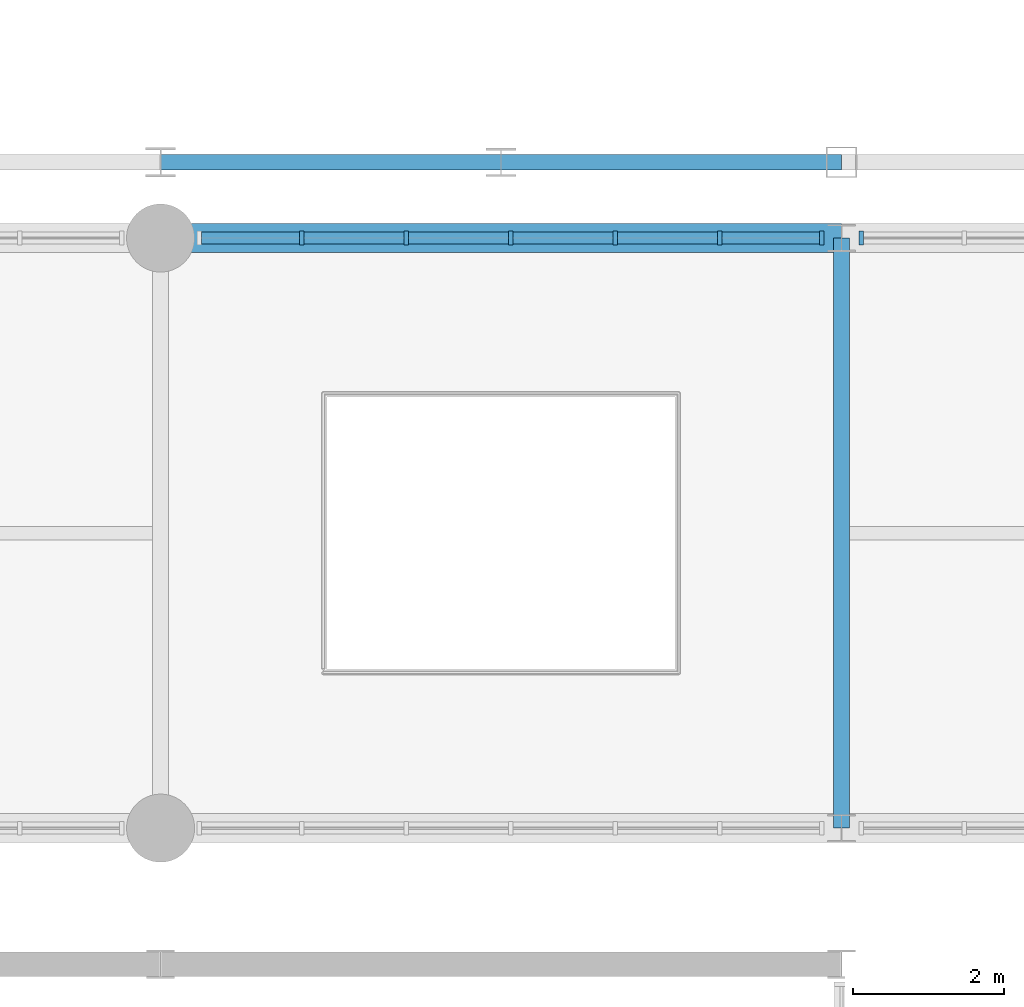
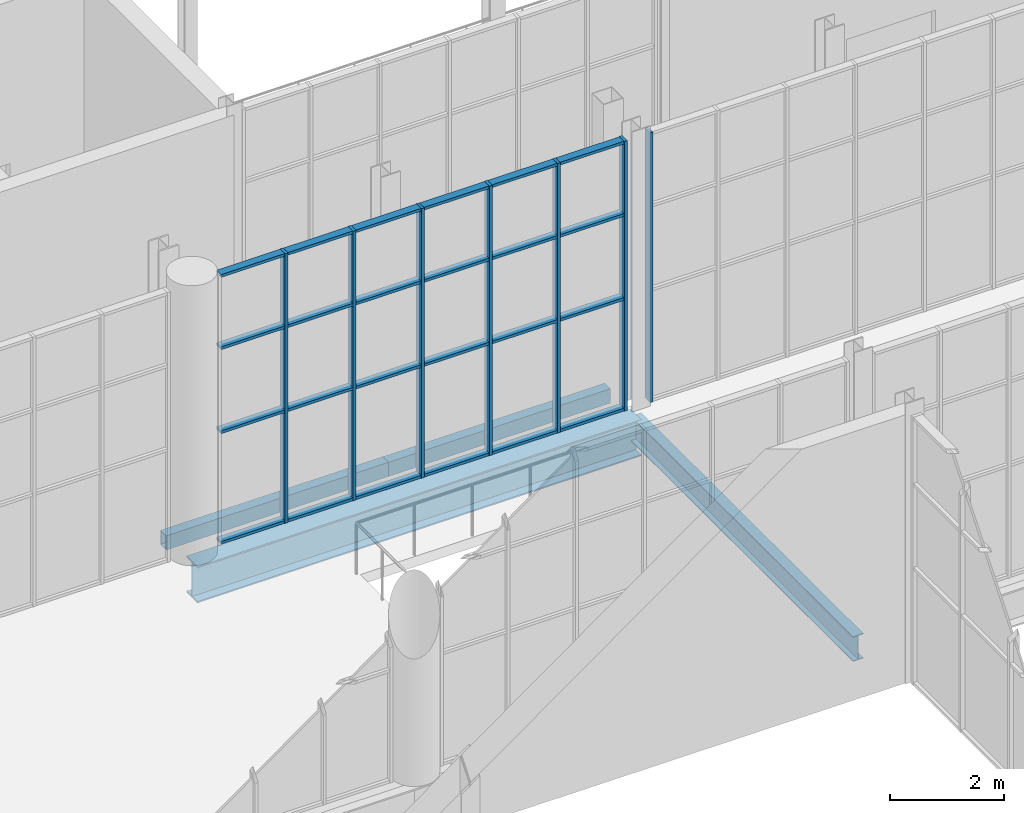
# One storey, part 36 of 159: 31 members, 4 beams, 2 elements without a shape of their own.
"""IFC4 building model written with IfcOpenShell, lengths in metres."""

from ifc_helpers import new_model, si_unit, direction, frame, origin, origin_2d, place, context, subcontext, project, spatial, rectangle, hollow_rectangle, i_section, extrude, material, layer, layer_set, material_profile, profile_set, type_object, element, aggregate, save


model = new_model("IFC4")

# Units and contexts
model_context = context("Model", 3, precision=1e-05, world=origin(), true_north=direction((0.0, 1.0)))
body_context = subcontext(model_context, "Body", "Model", "MODEL_VIEW")
ifc_project = project(units=[si_unit("LENGTHUNIT", "METRE"), si_unit("AREAUNIT", "SQUARE_METRE"), si_unit("VOLUMEUNIT", "CUBIC_METRE"), si_unit("PLANEANGLEUNIT", "RADIAN"), si_unit("MASSUNIT", "GRAM", prefix="KILO")], contexts=[model_context])

# Site, building, storey
site_placement = place(None, origin())
site = spatial("IfcSite", under=ifc_project, at=site_placement, CompositionType="ELEMENT")
building_placement = place(site_placement, origin())
building = spatial("IfcBuilding", under=site, at=building_placement, Name="Cazmaro Siding Exhibition Halls", CompositionType="ELEMENT")
storey_placement = place(building_placement, frame((0.0, 0.0, 6.0)))
storey = spatial("IfcBuildingStorey", under=building, at=storey_placement, Name="L01", CompositionType="ELEMENT", Elevation=6.0)

# Beam
ifc_material_1 = material(Name="Steel ASTM A992 Grade 50", Category="steel")
ifc_material_profile_1 = material_profile(ifc_material_1, i_section(OverallWidth=0.2099609375, OverallDepth=0.535888671875, WebThickness=0.010986328125, FlangeThickness=0.01708984375, at=origin_2d()), Name="W21X68")
ifc_profile_set_1 = profile_set([ifc_material_profile_1], Name="Steel ASTM A992 Grade 50")
beam_type_1 = type_object("IfcBeamType", Name="B-02", PredefinedType="BEAM", material=ifc_profile_set_1)
beam_1_placement = place(storey_placement, frame((63.0, 55.199951171875, -0.488037109375), z_axis=(0.0, 1.0, 0.0), x_axis=(-1.0, 0.0, 0.0)))
element("IfcBeam", 1, at=beam_1_placement, inside=storey, type_object=beam_type_1, Name="Beam B-02 BM-1693", PredefinedType="BEAM", context=body_context, shape_type="SweptSolid", body=[
    extrude(i_section(OverallWidth=0.2099609375, OverallDepth=0.535888671875, WebThickness=0.010986328125, FlangeThickness=0.01708984375, at=origin_2d()), origin(), (0.0, 0.0, 1.0), 7.800048828125),
])

# Curtain wall, members
ifc_material_2 = material(Name="Anodized Bronze Aluminum and Solar-Control Low-E Glazing", Category="aluminium")
ifc_layer = layer(ifc_material_2, 0.179931640625)
ifc_layer_set = layer_set([ifc_layer], Name="Anodized Bronze Aluminum and Solar-Control Low-E Glazing")
curtain_wall_type = type_object("IfcCurtainWallType", Name="CWS-01", PredefinedType="USERDEFINED", material=ifc_layer_set)
curtain_wall_1_placement = place(storey_placement, origin())
curtain_wall_1 = element("IfcCurtainWall", 2, at=curtain_wall_1_placement, inside=storey, type_object=curtain_wall_type, Name="Glazed Curtain Wall CWS-01 CW-153", ObjectType="GLAZED CURTAIN WALL", PredefinedType="USERDEFINED")
ifc_material_3 = material(Name="Anodized Bronze Extruded Aluminum", Category="aluminium")
ifc_material_profile_2 = material_profile(ifc_material_3, rectangle(XDim=0.179931640625, YDim=0.06005859375, at=origin_2d()), Name="CWM-01")
ifc_profile_set_2 = profile_set([ifc_material_profile_2], Name="Anodized Bronze Extruded Aluminum")
member_type_1 = type_object("IfcMemberType", Name="CWM-01", PredefinedType="MULLION", material=ifc_profile_set_2)
member_1_placement = place(storey_placement, frame((62.739990234375, 63.0, 0.0), z_axis=(0.0, 0.0, 1.0), x_axis=(0.0, -1.0, 0.0)))
member_1 = element("IfcMember", 3, at=member_1_placement, type_object=member_type_1, Name="CWS-01 mullion 1", PredefinedType="MULLION", context=body_context, shape_type="SweptSolid", body=[
    extrude(rectangle(XDim=0.179931640625, YDim=0.06005859375, at=origin_2d()), origin(), (0.0, 0.0, 1.0), 5.780029296875),
])
member_2_placement = place(storey_placement, frame((61.388916015625, 63.0, 0.0), z_axis=(0.0, 0.0, 1.0), x_axis=(0.0, -1.0, 0.0)))
member_2 = element("IfcMember", 4, at=member_2_placement, type_object=member_type_1, Name="CWS-01 mullion 2", PredefinedType="MULLION", context=body_context, shape_type="SweptSolid", body=[
    extrude(rectangle(XDim=0.179931640625, YDim=0.06005859375, at=origin_2d()), origin(), (0.0, 0.0, 1.0), 5.780029296875),
])
member_3_placement = place(storey_placement, frame((60.007568359375, 63.0, 0.0), z_axis=(0.0, 0.0, 1.0), x_axis=(0.0, -1.0, 0.0)))
member_3 = element("IfcMember", 5, at=member_3_placement, type_object=member_type_1, Name="CWS-01 mullion 3", PredefinedType="MULLION", context=body_context, shape_type="SweptSolid", body=[
    extrude(rectangle(XDim=0.179931640625, YDim=0.06005859375, at=origin_2d()), origin(), (0.0, 0.0, 1.0), 5.780029296875),
])
member_4_placement = place(storey_placement, frame((58.62646484375, 63.0, 0.0), z_axis=(0.0, 0.0, 1.0), x_axis=(0.0, -1.0, 0.0)))
member_4 = element("IfcMember", 6, at=member_4_placement, type_object=member_type_1, Name="CWS-01 mullion 4", PredefinedType="MULLION", context=body_context, shape_type="SweptSolid", body=[
    extrude(rectangle(XDim=0.179931640625, YDim=0.06005859375, at=origin_2d()), origin(), (0.0, 0.0, 1.0), 5.780029296875),
])
member_5_placement = place(storey_placement, frame((57.245361328125, 63.0, 0.0), z_axis=(0.0, 0.0, 1.0), x_axis=(0.0, -1.0, 0.0)))
member_5 = element("IfcMember", 7, at=member_5_placement, type_object=member_type_1, Name="CWS-01 mullion 5", PredefinedType="MULLION", context=body_context, shape_type="SweptSolid", body=[
    extrude(rectangle(XDim=0.179931640625, YDim=0.06005859375, at=origin_2d()), origin(), (0.0, 0.0, 1.0), 5.780029296875),
])
member_6_placement = place(storey_placement, frame((55.8642578125, 63.0, 0.0), z_axis=(0.0, 0.0, 1.0), x_axis=(0.0, -1.0, 0.0)))
member_6 = element("IfcMember", 8, at=member_6_placement, type_object=member_type_1, Name="CWS-01 mullion 6", PredefinedType="MULLION", context=body_context, shape_type="SweptSolid", body=[
    extrude(rectangle(XDim=0.179931640625, YDim=0.06005859375, at=origin_2d()), origin(), (0.0, 0.0, 1.0), 5.780029296875),
])

# Curtain wall, member
curtain_wall_2_placement = place(storey_placement, origin())
curtain_wall_2 = element("IfcCurtainWall", 9, at=curtain_wall_2_placement, inside=storey, type_object=curtain_wall_type, Name="Glazed Curtain Wall CWS-01 CW-159", ObjectType="GLAZED CURTAIN WALL", PredefinedType="USERDEFINED")
member_7_placement = place(storey_placement, frame((63.260009765625, 63.0, 0.0), z_axis=(0.0, 0.0, 1.0), x_axis=(0.0, -1.0, 0.0)))
member_7 = element("IfcMember", 10, at=member_7_placement, type_object=member_type_1, Name="CWS-01 mullion 7", PredefinedType="MULLION", context=body_context, shape_type="SweptSolid", body=[
    extrude(rectangle(XDim=0.179931640625, YDim=0.06005859375, at=origin_2d()), origin(), (0.0, 0.0, 1.0), 5.780029296875),
])
aggregate(curtain_wall_2, [member_7])

# Member
ifc_material_4 = material(Name="Anodized Bronze Extruded Aluminum", Category="aluminium")
ifc_material_profile_3 = material_profile(ifc_material_4, rectangle(XDim=0.159912109375, YDim=0.06005859375, at=origin_2d()), Name="CWT-01")
ifc_profile_set_3 = profile_set([ifc_material_profile_3], Name="Anodized Bronze Extruded Aluminum")
member_type_2 = type_object("IfcMemberType", Name="CWT-01", PredefinedType="MULLION", material=ifc_profile_set_3)
member_8_placement = place(storey_placement, frame((62.7099609375, 63.0, 0.030029296875), z_axis=(-1.0, 0.0, 0.0), x_axis=(0.0, -1.0, 0.0)))
member_8 = element("IfcMember", 11, at=member_8_placement, type_object=member_type_2, Name="CWS-01 transom 1.1", ObjectType="TRANSOM", PredefinedType="USERDEFINED", context=body_context, shape_type="SweptSolid", body=[
    extrude(rectangle(XDim=0.159912109375, YDim=0.06005859375, at=origin_2d()), origin(), (0.0, 0.0, 1.0), 1.291015625),
])

member_9_placement = place(storey_placement, frame((62.7099609375, 63.0, 2.39990234375), z_axis=(-1.0, 0.0, 0.0), x_axis=(0.0, -1.0, 0.0)))
member_9 = element("IfcMember", 12, at=member_9_placement, type_object=member_type_2, Name="CWS-01 transom 1.2", ObjectType="TRANSOM", PredefinedType="USERDEFINED", context=body_context, shape_type="SweptSolid", body=[
    extrude(rectangle(XDim=0.159912109375, YDim=0.06005859375, at=origin_2d()), origin(), (0.0, 0.0, 1.0), 1.291015625),
])

member_10_placement = place(storey_placement, frame((62.7099609375, 63.0, 4.199951171875), z_axis=(-1.0, 0.0, 0.0), x_axis=(0.0, -1.0, 0.0)))
member_10 = element("IfcMember", 13, at=member_10_placement, type_object=member_type_2, Name="CWS-01 transom 1.3", ObjectType="TRANSOM", PredefinedType="USERDEFINED", context=body_context, shape_type="SweptSolid", body=[
    extrude(rectangle(XDim=0.159912109375, YDim=0.06005859375, at=origin_2d()), origin(), (0.0, 0.0, 1.0), 1.291015625),
])

member_11_placement = place(storey_placement, frame((62.7099609375, 63.0, 5.75), z_axis=(-1.0, 0.0, 0.0), x_axis=(0.0, -1.0, 0.0)))
member_11 = element("IfcMember", 14, at=member_11_placement, type_object=member_type_2, Name="CWS-01 transom 1.4", ObjectType="TRANSOM", PredefinedType="USERDEFINED", context=body_context, shape_type="SweptSolid", body=[
    extrude(rectangle(XDim=0.159912109375, YDim=0.06005859375, at=origin_2d()), origin(), (0.0, 0.0, 1.0), 1.291015625),
])

member_12_placement = place(storey_placement, frame((61.35888671875, 63.0, 0.030029296875), z_axis=(-1.0, 0.0, 0.0), x_axis=(0.0, -1.0, 0.0)))
member_12 = element("IfcMember", 15, at=member_12_placement, type_object=member_type_2, Name="CWS-01 transom 2.1", ObjectType="TRANSOM", PredefinedType="USERDEFINED", context=body_context, shape_type="SweptSolid", body=[
    extrude(rectangle(XDim=0.159912109375, YDim=0.06005859375, at=origin_2d()), origin(), (0.0, 0.0, 1.0), 1.3212890625),
])

member_13_placement = place(storey_placement, frame((61.35888671875, 63.0, 2.39990234375), z_axis=(-1.0, 0.0, 0.0), x_axis=(0.0, -1.0, 0.0)))
member_13 = element("IfcMember", 16, at=member_13_placement, type_object=member_type_2, Name="CWS-01 transom 2.2", ObjectType="TRANSOM", PredefinedType="USERDEFINED", context=body_context, shape_type="SweptSolid", body=[
    extrude(rectangle(XDim=0.159912109375, YDim=0.06005859375, at=origin_2d()), origin(), (0.0, 0.0, 1.0), 1.3212890625),
])

member_14_placement = place(storey_placement, frame((61.35888671875, 63.0, 4.199951171875), z_axis=(-1.0, 0.0, 0.0), x_axis=(0.0, -1.0, 0.0)))
member_14 = element("IfcMember", 17, at=member_14_placement, type_object=member_type_2, Name="CWS-01 transom 2.3", ObjectType="TRANSOM", PredefinedType="USERDEFINED", context=body_context, shape_type="SweptSolid", body=[
    extrude(rectangle(XDim=0.159912109375, YDim=0.06005859375, at=origin_2d()), origin(), (0.0, 0.0, 1.0), 1.3212890625),
])

member_15_placement = place(storey_placement, frame((61.35888671875, 63.0, 5.75), z_axis=(-1.0, 0.0, 0.0), x_axis=(0.0, -1.0, 0.0)))
member_15 = element("IfcMember", 18, at=member_15_placement, type_object=member_type_2, Name="CWS-01 transom 2.4", ObjectType="TRANSOM", PredefinedType="USERDEFINED", context=body_context, shape_type="SweptSolid", body=[
    extrude(rectangle(XDim=0.159912109375, YDim=0.06005859375, at=origin_2d()), origin(), (0.0, 0.0, 1.0), 1.3212890625),
])

member_16_placement = place(storey_placement, frame((59.977783203125, 63.0, 0.030029296875), z_axis=(-1.0, 0.0, 0.0), x_axis=(0.0, -1.0, 0.0)))
member_16 = element("IfcMember", 19, at=member_16_placement, type_object=member_type_2, Name="CWS-01 transom 3.1", ObjectType="TRANSOM", PredefinedType="USERDEFINED", context=body_context, shape_type="SweptSolid", body=[
    extrude(rectangle(XDim=0.159912109375, YDim=0.06005859375, at=origin_2d()), origin(), (0.0, 0.0, 1.0), 1.3212890625),
])

member_17_placement = place(storey_placement, frame((59.977783203125, 63.0, 2.39990234375), z_axis=(-1.0, 0.0, 0.0), x_axis=(0.0, -1.0, 0.0)))
member_17 = element("IfcMember", 20, at=member_17_placement, type_object=member_type_2, Name="CWS-01 transom 3.2", ObjectType="TRANSOM", PredefinedType="USERDEFINED", context=body_context, shape_type="SweptSolid", body=[
    extrude(rectangle(XDim=0.159912109375, YDim=0.06005859375, at=origin_2d()), origin(), (0.0, 0.0, 1.0), 1.3212890625),
])

member_18_placement = place(storey_placement, frame((59.977783203125, 63.0, 4.199951171875), z_axis=(-1.0, 0.0, 0.0), x_axis=(0.0, -1.0, 0.0)))
member_18 = element("IfcMember", 21, at=member_18_placement, type_object=member_type_2, Name="CWS-01 transom 3.3", ObjectType="TRANSOM", PredefinedType="USERDEFINED", context=body_context, shape_type="SweptSolid", body=[
    extrude(rectangle(XDim=0.159912109375, YDim=0.06005859375, at=origin_2d()), origin(), (0.0, 0.0, 1.0), 1.3212890625),
])

member_19_placement = place(storey_placement, frame((59.977783203125, 63.0, 5.75), z_axis=(-1.0, 0.0, 0.0), x_axis=(0.0, -1.0, 0.0)))
member_19 = element("IfcMember", 22, at=member_19_placement, type_object=member_type_2, Name="CWS-01 transom 3.4", ObjectType="TRANSOM", PredefinedType="USERDEFINED", context=body_context, shape_type="SweptSolid", body=[
    extrude(rectangle(XDim=0.159912109375, YDim=0.06005859375, at=origin_2d()), origin(), (0.0, 0.0, 1.0), 1.3212890625),
])

member_20_placement = place(storey_placement, frame((58.596435546875, 63.0, 0.030029296875), z_axis=(-1.0, 0.0, 0.0), x_axis=(0.0, -1.0, 0.0)))
member_20 = element("IfcMember", 23, at=member_20_placement, type_object=member_type_2, Name="CWS-01 transom 4.1", ObjectType="TRANSOM", PredefinedType="USERDEFINED", context=body_context, shape_type="SweptSolid", body=[
    extrude(rectangle(XDim=0.159912109375, YDim=0.06005859375, at=origin_2d()), origin(), (0.0, 0.0, 1.0), 1.321044921875),
])

member_21_placement = place(storey_placement, frame((58.596435546875, 63.0, 2.39990234375), z_axis=(-1.0, 0.0, 0.0), x_axis=(0.0, -1.0, 0.0)))
member_21 = element("IfcMember", 24, at=member_21_placement, type_object=member_type_2, Name="CWS-01 transom 4.2", ObjectType="TRANSOM", PredefinedType="USERDEFINED", context=body_context, shape_type="SweptSolid", body=[
    extrude(rectangle(XDim=0.159912109375, YDim=0.06005859375, at=origin_2d()), origin(), (0.0, 0.0, 1.0), 1.321044921875),
])

member_22_placement = place(storey_placement, frame((58.596435546875, 63.0, 4.199951171875), z_axis=(-1.0, 0.0, 0.0), x_axis=(0.0, -1.0, 0.0)))
member_22 = element("IfcMember", 25, at=member_22_placement, type_object=member_type_2, Name="CWS-01 transom 4.3", ObjectType="TRANSOM", PredefinedType="USERDEFINED", context=body_context, shape_type="SweptSolid", body=[
    extrude(rectangle(XDim=0.159912109375, YDim=0.06005859375, at=origin_2d()), origin(), (0.0, 0.0, 1.0), 1.321044921875),
])

member_23_placement = place(storey_placement, frame((58.596435546875, 63.0, 5.75), z_axis=(-1.0, 0.0, 0.0), x_axis=(0.0, -1.0, 0.0)))
member_23 = element("IfcMember", 26, at=member_23_placement, type_object=member_type_2, Name="CWS-01 transom 4.4", ObjectType="TRANSOM", PredefinedType="USERDEFINED", context=body_context, shape_type="SweptSolid", body=[
    extrude(rectangle(XDim=0.159912109375, YDim=0.06005859375, at=origin_2d()), origin(), (0.0, 0.0, 1.0), 1.321044921875),
])

member_24_placement = place(storey_placement, frame((57.21533203125, 63.0, 0.030029296875), z_axis=(-1.0, 0.0, 0.0), x_axis=(0.0, -1.0, 0.0)))
member_24 = element("IfcMember", 27, at=member_24_placement, type_object=member_type_2, Name="CWS-01 transom 5.1", ObjectType="TRANSOM", PredefinedType="USERDEFINED", context=body_context, shape_type="SweptSolid", body=[
    extrude(rectangle(XDim=0.159912109375, YDim=0.06005859375, at=origin_2d()), origin(), (0.0, 0.0, 1.0), 1.321044921875),
])

member_25_placement = place(storey_placement, frame((57.21533203125, 63.0, 2.39990234375), z_axis=(-1.0, 0.0, 0.0), x_axis=(0.0, -1.0, 0.0)))
member_25 = element("IfcMember", 28, at=member_25_placement, type_object=member_type_2, Name="CWS-01 transom 5.2", ObjectType="TRANSOM", PredefinedType="USERDEFINED", context=body_context, shape_type="SweptSolid", body=[
    extrude(rectangle(XDim=0.159912109375, YDim=0.06005859375, at=origin_2d()), origin(), (0.0, 0.0, 1.0), 1.321044921875),
])

member_26_placement = place(storey_placement, frame((57.21533203125, 63.0, 4.199951171875), z_axis=(-1.0, 0.0, 0.0), x_axis=(0.0, -1.0, 0.0)))
member_26 = element("IfcMember", 29, at=member_26_placement, type_object=member_type_2, Name="CWS-01 transom 5.3", ObjectType="TRANSOM", PredefinedType="USERDEFINED", context=body_context, shape_type="SweptSolid", body=[
    extrude(rectangle(XDim=0.159912109375, YDim=0.06005859375, at=origin_2d()), origin(), (0.0, 0.0, 1.0), 1.321044921875),
])

member_27_placement = place(storey_placement, frame((57.21533203125, 63.0, 5.75), z_axis=(-1.0, 0.0, 0.0), x_axis=(0.0, -1.0, 0.0)))
member_27 = element("IfcMember", 30, at=member_27_placement, type_object=member_type_2, Name="CWS-01 transom 5.4", ObjectType="TRANSOM", PredefinedType="USERDEFINED", context=body_context, shape_type="SweptSolid", body=[
    extrude(rectangle(XDim=0.159912109375, YDim=0.06005859375, at=origin_2d()), origin(), (0.0, 0.0, 1.0), 1.321044921875),
])

member_28_placement = place(storey_placement, frame((55.834228515625, 63.0, 0.030029296875), z_axis=(-1.0, 0.0, 0.0), x_axis=(0.0, -1.0, 0.0)))
member_28 = element("IfcMember", 31, at=member_28_placement, type_object=member_type_2, Name="CWS-01 transom 6.1", ObjectType="TRANSOM", PredefinedType="USERDEFINED", context=body_context, shape_type="SweptSolid", body=[
    extrude(rectangle(XDim=0.159912109375, YDim=0.06005859375, at=origin_2d()), origin(), (0.0, 0.0, 1.0), 1.291259765625),
])

member_29_placement = place(storey_placement, frame((55.834228515625, 63.0, 2.39990234375), z_axis=(-1.0, 0.0, 0.0), x_axis=(0.0, -1.0, 0.0)))
member_29 = element("IfcMember", 32, at=member_29_placement, type_object=member_type_2, Name="CWS-01 transom 6.2", ObjectType="TRANSOM", PredefinedType="USERDEFINED", context=body_context, shape_type="SweptSolid", body=[
    extrude(rectangle(XDim=0.159912109375, YDim=0.06005859375, at=origin_2d()), origin(), (0.0, 0.0, 1.0), 1.291259765625),
])

member_30_placement = place(storey_placement, frame((55.834228515625, 63.0, 4.199951171875), z_axis=(-1.0, 0.0, 0.0), x_axis=(0.0, -1.0, 0.0)))
member_30 = element("IfcMember", 33, at=member_30_placement, type_object=member_type_2, Name="CWS-01 transom 6.3", ObjectType="TRANSOM", PredefinedType="USERDEFINED", context=body_context, shape_type="SweptSolid", body=[
    extrude(rectangle(XDim=0.159912109375, YDim=0.06005859375, at=origin_2d()), origin(), (0.0, 0.0, 1.0), 1.291259765625),
])

member_31_placement = place(storey_placement, frame((55.834228515625, 63.0, 5.75), z_axis=(-1.0, 0.0, 0.0), x_axis=(0.0, -1.0, 0.0)))
member_31 = element("IfcMember", 34, at=member_31_placement, type_object=member_type_2, Name="CWS-01 transom 6.4", ObjectType="TRANSOM", PredefinedType="USERDEFINED", context=body_context, shape_type="SweptSolid", body=[
    extrude(rectangle(XDim=0.159912109375, YDim=0.06005859375, at=origin_2d()), origin(), (0.0, 0.0, 1.0), 1.291259765625),
])

aggregate(curtain_wall_1, [member_1, member_2, member_3, member_4, member_5, member_6, member_8, member_9, member_10, member_11, member_12, member_13, member_14, member_15, member_16, member_17, member_18, member_19, member_20, member_21, member_22, member_23, member_24, member_25, member_26, member_27, member_28, member_29, member_30, member_31])

# Beams
ifc_material_5 = material(Name="Steel ASTM A992 Grade 50", Category="steel")
ifc_material_profile_4 = material_profile(ifc_material_5, i_section(OverallWidth=0.381103515625, OverallDepth=0.779052734375, WebThickness=0.01806640625, FlangeThickness=0.030029296875, at=origin_2d()), Name="W30X191")
ifc_profile_set_4 = profile_set([ifc_material_profile_4], Name="Steel ASTM A992 Grade 50")
beam_type_2 = type_object("IfcBeamType", Name="G-04", PredefinedType="USERDEFINED", material=ifc_profile_set_4)
beam_2_placement = place(storey_placement, frame((54.0, 63.0, -0.60888671875), z_axis=(1.0, 0.0, 0.0), x_axis=(0.0, 1.0, 0.0)))
element("IfcBeam", 35, at=beam_2_placement, inside=storey, type_object=beam_type_2, Name="Beam G-04 BM-1586", ObjectType="GIRDER", PredefinedType="USERDEFINED", context=body_context, shape_type="SweptSolid", body=[
    extrude(i_section(OverallWidth=0.381103515625, OverallDepth=0.779052734375, WebThickness=0.01806640625, FlangeThickness=0.030029296875, at=origin_2d()), origin(), (0.0, 0.0, 1.0), 9.0),
])
ifc_material_6 = material(Name="Steel ASTM A500 Grade C", Category="steel")
ifc_material_profile_5 = material_profile(ifc_material_6, hollow_rectangle(XDim=0.202880859375, YDim=0.304931640625, WallThickness=0.011962890625, at=origin_2d()), Name="HSS12X8X1/2")
ifc_profile_set_5 = profile_set([ifc_material_profile_5], Name="Steel ASTM A500 Grade C")
beam_type_3 = type_object("IfcBeamType", Name="SP-01", PredefinedType="SPANDREL", material=ifc_profile_set_5)
for number, where, z_axis, x_axis, name in (
    (36, (54.0, 64.0, -0.3720703125), (1.0, 0.0, 0.0), (0.0, 1.0, 0.0), "Beam SP-01 BM-0073"),
    (37, (58.5, 64.0, -0.3720703125), (1.0, 0.0, 0.0), (0.0, 1.0, 0.0), "Beam SP-01 BM-0079"),
):
    element("IfcBeam", number, at=place(storey_placement, frame(where, z_axis=z_axis, x_axis=x_axis)), inside=storey, type_object=beam_type_3, Name=name, PredefinedType="SPANDREL", context=body_context, shape_type="SweptSolid", body=[
        extrude(hollow_rectangle(XDim=0.202880859375, YDim=0.304931640625, WallThickness=0.011962890625, at=origin_2d()), origin(), (0.0, 0.0, 1.0), 4.5),
    ])

save(model, "model.ifc")
